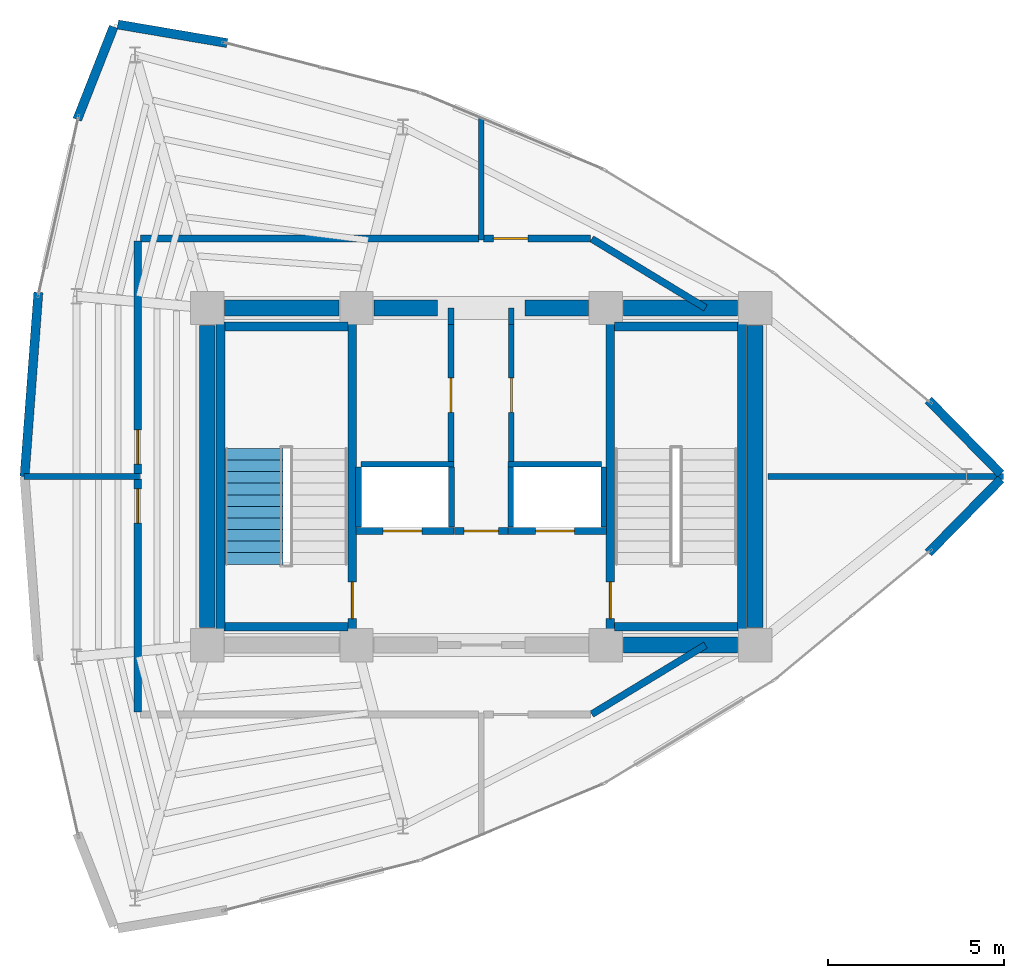
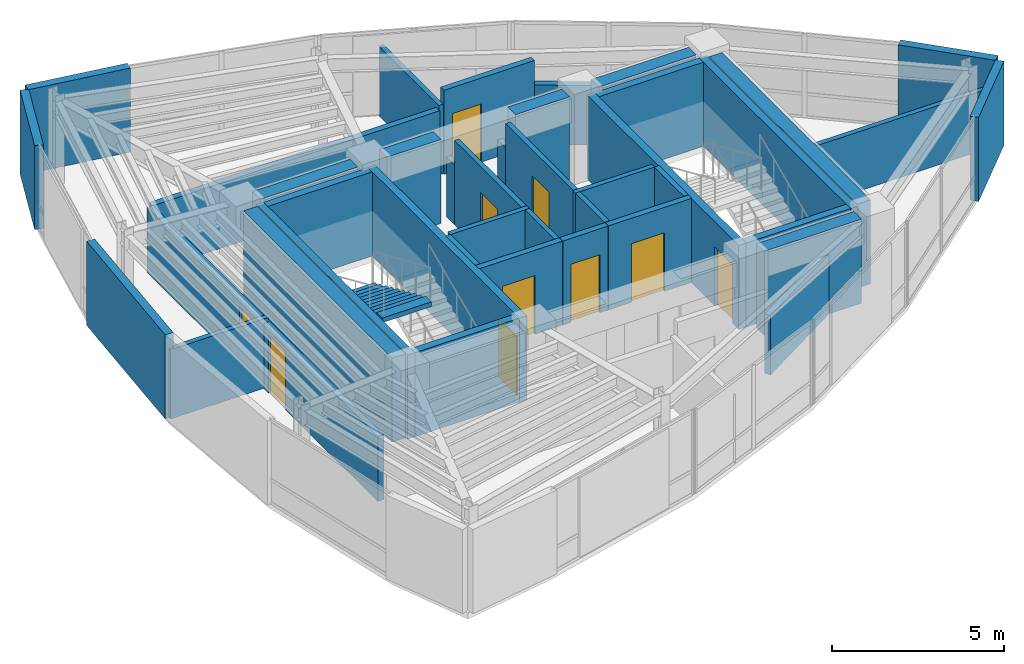
# One storey, part 12 of 14: 42 walls, 10 doors, 1 stair flight, 10 openings, 1 element without a shape of its own.
"""IFC4 building model written with IfcOpenShell, lengths in metres."""

from ifc_helpers import new_model, si_unit, direction, frame, frame_2d, origin, place, context, subcontext, project, spatial, polyline, rectangle, outline, extrude, material, layer, layer_set, type_object, element, fill, aggregate, save


model = new_model("IFC4")

# Units and contexts
model_context = context("Model", 3, precision=1e-05, world=origin(), true_north=direction((0.0, 1.0)))
body_context = subcontext(model_context, "Body", "Model", "MODEL_VIEW")
ifc_project = project(units=[si_unit("LENGTHUNIT", "METRE"), si_unit("AREAUNIT", "SQUARE_METRE"), si_unit("VOLUMEUNIT", "CUBIC_METRE"), si_unit("PLANEANGLEUNIT", "RADIAN"), si_unit("MASSUNIT", "GRAM", prefix="KILO")], contexts=[model_context])

# Site, building, storey
site_placement = place(None, origin())
site = spatial("IfcSite", under=ifc_project, at=site_placement, CompositionType="ELEMENT")
building_placement = place(site_placement, origin())
building = spatial("IfcBuilding", under=site, at=building_placement, Name="Menara Vayukalpa", CompositionType="ELEMENT")
storey_placement = place(building_placement, frame((0.0, 0.0, 305.6201171875)))
storey = spatial("IfcBuildingStorey", under=building, at=storey_placement, Name="L78", CompositionType="ELEMENT", Elevation=305.6201171875)

# Walls
ifc_material_1 = material(Name="Concrete C50/60", Category="concrete")
ifc_layer_1 = layer(ifc_material_1, 0.449951171875)
ifc_layer_set_1 = layer_set([ifc_layer_1], Name="Concrete C50/60")
wall_type_1 = type_object("IfcWallType", Name="WAL-CW450", PredefinedType="SHEAR", material=ifc_layer_set_1)
for number, where, z_axis, x_axis, name in (
    (1, (29.64501953125, 17.199951171875, 0.0), (0.0, 0.0, 1.0), (1.0, 0.0, 0.0), "L78 Buttressed Core Shear Wall CWS4"),
    (2, (18.294921875, 26.800048828125, 0.0), (0.0, 0.0, 1.0), (1.0, 0.0, 0.0), "L78 Buttressed Core Shear Wall CWN1"),
):
    element("IfcWall", number, at=place(storey_placement, frame(where, z_axis=z_axis, x_axis=x_axis)), inside=storey, type_object=wall_type_1, Name=name, PredefinedType="SHEAR", context=body_context, shape_type="SweptSolid", body=[
        extrude(rectangle(XDim=3.260009765625, YDim=0.449951171875, at=frame_2d((1.6298828125, 0.0))), origin(), (0.0, 0.0, 1.0), 2.97998046875),
    ])
wall_1_placement = place(storey_placement, frame((22.544921875, 26.800048828125, 0.0), z_axis=(0.0, 0.0, 1.0), x_axis=(1.0, 0.0, 0.0)))
element("IfcWall", 3, at=wall_1_placement, inside=storey, type_object=wall_type_1, Name="L78 Buttressed Core Shear Wall CWN2", PredefinedType="SHEAR", context=body_context, shape_type="SweptSolid", body=[
    extrude(rectangle(XDim=1.80517578125, YDim=0.449951171875, at=frame_2d((0.902587890625, 0.0))), origin(), (0.0, 0.0, 1.0), 2.97998046875),
])
wall_2_placement = place(storey_placement, frame((26.85009765625, 26.800048828125, 0.0), z_axis=(0.0, 0.0, 1.0), x_axis=(1.0, 0.0, 0.0)))
element("IfcWall", 4, at=wall_2_placement, inside=storey, type_object=wall_type_1, Name="L78 Buttressed Core Shear Wall CWN3", PredefinedType="SHEAR", context=body_context, shape_type="SweptSolid", body=[
    extrude(rectangle(XDim=1.804931640625, YDim=0.449951171875, at=frame_2d((0.90234375, 0.0))), origin(), (0.0, 0.0, 1.0), 2.97998046875),
])
wall_3_placement = place(storey_placement, frame((29.64501953125, 26.800048828125, 0.0), z_axis=(0.0, 0.0, 1.0), x_axis=(1.0, 0.0, 0.0)))
element("IfcWall", 5, at=wall_3_placement, inside=storey, type_object=wall_type_1, Name="L78 Buttressed Core Shear Wall CWN4", PredefinedType="SHEAR", context=body_context, shape_type="SweptSolid", body=[
    extrude(rectangle(XDim=3.260009765625, YDim=0.449951171875, at=frame_2d((1.6298828125, 0.0))), origin(), (0.0, 0.0, 1.0), 2.97998046875),
])
for number, where, z_axis, x_axis, name in (
    (6, (17.800048828125, 17.695068359375, 0.0), (0.0, 0.0, 1.0), (0.0, 1.0, 0.0), "L78 Buttressed Core Shear Wall CWW1"),
    (7, (33.39990234375, 17.695068359375, 0.0), (0.0, 0.0, 1.0), (0.0, 1.0, 0.0), "L78 Buttressed Core Shear Wall CWE1"),
):
    element("IfcWall", number, at=place(storey_placement, frame(where, z_axis=z_axis, x_axis=x_axis)), inside=storey, type_object=wall_type_1, Name=name, PredefinedType="SHEAR", context=body_context, shape_type="SweptSolid", body=[
        extrude(rectangle(XDim=8.60986328125, YDim=0.449951171875, at=frame_2d((4.304931640625, 0.0))), origin(), (0.0, 0.0, 1.0), 2.97998046875),
    ])
ifc_material_2 = material(Name="Insulated Precast Concrete C40/50", Category="concrete")
ifc_layer_2 = layer(ifc_material_2, 0.260009765625)
ifc_layer_set_2 = layer_set([ifc_layer_2], Name="Insulated Precast Concrete C40/50")
wall_type_2 = type_object("IfcWallType", Name="WAL-EXT260", PredefinedType="PARTITIONING", material=ifc_layer_set_2)
for number, where, z_axis, x_axis, name in (
    (8, (40.394287109375, 21.923828125, 0.0), (0.0, 0.0, 1.0), (-0.700603142499, -0.713551145133, 0.0), "L78 Perimeter Terracotta Pier Wall 01"),
    (9, (38.33349609375, 24.175048828125, 0.0), (0.0, 0.0, 1.0), (0.700603142499, -0.713551145133, 0.0), "L78 Perimeter Terracotta Pier Wall 02"),
):
    element("IfcWall", number, at=place(storey_placement, frame(where, z_axis=z_axis, x_axis=x_axis)), inside=storey, type_object=wall_type_2, Name=name, PredefinedType="PARTITIONING", context=body_context, shape_type="SweptSolid", body=[
        extrude(rectangle(XDim=2.94140625, YDim=0.260009765625, at=frame_2d((1.470703125, 0.0))), origin(), (0.0, 0.0, 1.0), 2.97998046875),
    ])
wall_4_placement = place(storey_placement, frame((15.251708984375, 34.87158203125, 0.0), z_axis=(0.0, 0.0, 1.0), x_axis=(0.985905089134, -0.167305574383, 0.0)))
element("IfcWall", 10, at=wall_4_placement, inside=storey, type_object=wall_type_2, Name="L78 Perimeter Terracotta Pier Wall 07", PredefinedType="PARTITIONING", context=body_context, shape_type="SweptSolid", body=[
    extrude(rectangle(XDim=3.1591796875, YDim=0.260009765625, at=frame_2d((1.57958984375, 0.0))), origin(), (0.0, 0.0, 1.0), 2.97998046875),
])
wall_5_placement = place(storey_placement, frame((14.09619140625, 32.1630859375, 0.0), z_axis=(0.0, 0.0, 1.0), x_axis=(0.365495346637, 0.930813166853, 0.0)))
element("IfcWall", 11, at=wall_5_placement, inside=storey, type_object=wall_type_2, Name="L78 Perimeter Terracotta Pier Wall 08", PredefinedType="PARTITIONING", context=body_context, shape_type="SweptSolid", body=[
    extrude(rectangle(XDim=2.838134765625, YDim=0.260009765625, at=frame_2d((1.4189453125, 0.0))), origin(), (0.0, 0.0, 1.0), 2.97998046875),
])
wall_6_placement = place(storey_placement, frame((12.596435546875, 22.0, 0.0), z_axis=(0.0, 0.0, 1.0), x_axis=(0.074768012725, 0.99720095481, 0.0)))
element("IfcWall", 12, at=wall_6_placement, inside=storey, type_object=wall_type_2, Name="L78 Perimeter Terracotta Pier Wall 10", PredefinedType="PARTITIONING", context=body_context, shape_type="SweptSolid", body=[
    extrude(rectangle(XDim=5.257080078125, YDim=0.260009765625, at=frame_2d((2.62841796875, 0.0))), origin(), (0.0, 0.0, 1.0), 2.97998046875),
])
ifc_material_3 = material(Name="Lightweight Concrete Blockwork C16/20", Category="masonry")
ifc_layer_3 = layer(ifc_material_3, 0.159912109375)
ifc_layer_set_3 = layer_set([ifc_layer_3], Name="Lightweight Concrete Blockwork C16/20")
wall_type_3 = type_object("IfcWallType", Name="WAL-FR150", PredefinedType="PARTITIONING", material=ifc_layer_set_3)
for number, where, z_axis, x_axis, name in (
    (13, (22.10498046875, 20.56005859375, 0.0), (0.0, 0.0, 1.0), (0.0, 1.0, 0.0), "L78 Interior Partition IW-L78-SHW-WW"),
    (14, (24.7548828125, 20.56005859375, 0.0), (0.0, 0.0, 1.0), (0.0, 1.0, 0.0), "L78 Interior Partition IW-L78-SHW-W1E"),
):
    element("IfcWall", number, at=place(storey_placement, frame(where, z_axis=z_axis, x_axis=x_axis)), inside=storey, type_object=wall_type_3, Name=name, PredefinedType="PARTITIONING", context=body_context, shape_type="SweptSolid", body=[
        extrude(rectangle(XDim=1.7099609375, YDim=0.159912109375, at=frame_2d((0.85498046875, 0.0))), origin(), (0.0, 0.0, 1.0), 2.97998046875),
    ])
wall_7_placement = place(storey_placement, frame((22.179931640625, 22.344970703125, 0.0), z_axis=(0.0, 0.0, 1.0), x_axis=(1.0, 0.0, 0.0)))
element("IfcWall", 15, at=wall_7_placement, inside=storey, type_object=wall_type_3, Name="L78 Interior Partition IW-L78-SHM-W12", PredefinedType="PARTITIONING", context=body_context, shape_type="SweptSolid", body=[
    extrude(rectangle(XDim=2.650146484375, YDim=0.159912109375, at=frame_2d((1.3251953125, 0.0))), origin(), (0.0, 0.0, 1.0), 2.97998046875),
])
for number, where, z_axis, x_axis, name in (
    (16, (29.094970703125, 20.56005859375, 0.0), (0.0, 0.0, 1.0), (0.0, 1.0, 0.0), "L78 Interior Partition IW-L78-SHW-EE"),
    (17, (26.445068359375, 20.56005859375, 0.0), (0.0, 0.0, 1.0), (0.0, 1.0, 0.0), "L78 Interior Partition IW-L78-SHW-E1W"),
):
    element("IfcWall", number, at=place(storey_placement, frame(where, z_axis=z_axis, x_axis=x_axis)), inside=storey, type_object=wall_type_3, Name=name, PredefinedType="PARTITIONING", context=body_context, shape_type="SweptSolid", body=[
        extrude(rectangle(XDim=1.7099609375, YDim=0.159912109375, at=frame_2d((0.85498046875, 0.0))), origin(), (0.0, 0.0, 1.0), 2.97998046875),
    ])
wall_8_placement = place(storey_placement, frame((26.3701171875, 22.344970703125, 0.0), z_axis=(0.0, 0.0, 1.0), x_axis=(1.0, 0.0, 0.0)))
element("IfcWall", 18, at=wall_8_placement, inside=storey, type_object=wall_type_3, Name="L78 Interior Partition IW-L78-SHM-E13", PredefinedType="PARTITIONING", context=body_context, shape_type="SweptSolid", body=[
    extrude(rectangle(XDim=2.64990234375, YDim=0.159912109375, at=frame_2d((1.324951171875, 0.0))), origin(), (0.0, 0.0, 1.0), 2.97998046875),
])
wall_9_placement = place(storey_placement, frame((24.739990234375, 26.3349609375, 0.0), z_axis=(0.0, 0.0, 1.0), x_axis=(0.0, 1.0, 0.0)))
element("IfcWall", 19, at=wall_9_placement, inside=storey, type_object=wall_type_3, Name="L78 Interior Partition IW-L78-CPL1 Beam Collar 1", PredefinedType="PARTITIONING", context=body_context, shape_type="SweptSolid", body=[
    extrude(rectangle(XDim=0.465087890625, YDim=0.159912109375, at=frame_2d((0.232421875, 0.0))), origin(), (0.0, 0.0, 1.0), 2.10986328125),
])

# Wall, opening, door
wall_10_placement = place(storey_placement, frame((24.739990234375, 22.429931640625, 0.0), z_axis=(0.0, 0.0, 1.0), x_axis=(0.0, 1.0, 0.0)))
wall_10 = element("IfcWall", 20, at=wall_10_placement, inside=storey, type_object=wall_type_3, Name="L78 Interior Partition IW-L78-CPL1", PredefinedType="PARTITIONING", context=body_context, shape_type="SweptSolid", body=[
    extrude(rectangle(XDim=3.905029296875, YDim=0.159912109375, at=frame_2d((1.95263671875, 0.0))), origin(), (0.0, 0.0, 1.0), 2.97998046875),
])
opening_1_placement = place(wall_10_placement, frame((1.39990234375, 0.0, 0.0)))
opening_1 = element("IfcOpeningElement", 21, at=opening_1_placement, cuts=wall_10, Name="Opening ID3", PredefinedType="OPENING", context=body_context, shape_type="SweptSolid", body=[
    extrude(rectangle(XDim=0.97998046875, YDim=2.06005859375, at=frame_2d((0.489990234375, 1.030029296875))), frame((0.0, 0.08984375, 0.0), z_axis=(0.0, -1.0, 0.0), x_axis=(1.0, 0.0, 0.0)), (0.0, 0.0, 1.0), 0.179931640625),
])
ifc_material_4 = material(Name="Fire-Rated Powder-Coated Steel Door", Category="steel")
door_type_1 = type_object("IfcDoorType", Name="DR-FD60", OperationType="NOTDEFINED", PredefinedType="DOOR", material=ifc_material_4)
door_1_placement = place(opening_1_placement, origin())
door_1 = element("IfcDoor", 22, at=door_1_placement, inside=storey, type_object=door_type_1, Name="L78 Interior Door DR-L78-CPL1", OperationType="SINGLE_SWING_LEFT", OverallHeight=2.06005859375, OverallWidth=0.97998046875, PredefinedType="DOOR", context=body_context, shape_type="SweptSolid", body=[
    extrude(rectangle(XDim=0.97998046875, YDim=2.06005859375, at=frame_2d((0.489990234375, 1.030029296875))), frame((0.0, 0.02490234375, 0.0), z_axis=(0.0, -1.0, 0.0), x_axis=(1.0, 0.0, 0.0)), (0.0, 0.0, 1.0), 0.050048828125),
])
fill(opening_1, door_1)

# Wall
wall_11_placement = place(storey_placement, frame((26.4599609375, 26.3349609375, 0.0), z_axis=(0.0, 0.0, 1.0), x_axis=(0.0, 1.0, 0.0)))
element("IfcWall", 23, at=wall_11_placement, inside=storey, type_object=wall_type_3, Name="L78 Interior Partition IW-L78-CPL2 Beam Collar 1", PredefinedType="PARTITIONING", context=body_context, shape_type="SweptSolid", body=[
    extrude(rectangle(XDim=0.465087890625, YDim=0.159912109375, at=frame_2d((0.232421875, 0.0))), origin(), (0.0, 0.0, 1.0), 2.10986328125),
])

# Wall, opening, door
wall_12_placement = place(storey_placement, frame((26.4599609375, 22.429931640625, 0.0), z_axis=(0.0, 0.0, 1.0), x_axis=(0.0, 1.0, 0.0)))
wall_12 = element("IfcWall", 24, at=wall_12_placement, inside=storey, type_object=wall_type_3, Name="L78 Interior Partition IW-L78-CPL2", PredefinedType="PARTITIONING", context=body_context, shape_type="SweptSolid", body=[
    extrude(rectangle(XDim=3.905029296875, YDim=0.159912109375, at=frame_2d((1.95263671875, 0.0))), origin(), (0.0, 0.0, 1.0), 2.97998046875),
])
opening_2_placement = place(wall_12_placement, frame((1.39990234375, 0.0, 0.0)))
opening_2 = element("IfcOpeningElement", 25, at=opening_2_placement, cuts=wall_12, Name="Opening ID3", PredefinedType="OPENING", context=body_context, shape_type="SweptSolid", body=[
    extrude(rectangle(XDim=0.97998046875, YDim=2.06005859375, at=frame_2d((0.489990234375, 1.030029296875))), frame((0.0, 0.08984375, 0.0), z_axis=(0.0, -1.0, 0.0), x_axis=(1.0, 0.0, 0.0)), (0.0, 0.0, 1.0), 0.179931640625),
])
door_2_placement = place(opening_2_placement, origin())
door_2 = element("IfcDoor", 26, at=door_2_placement, inside=storey, type_object=door_type_1, Name="L78 Interior Door DR-L78-CPL2", OperationType="SINGLE_SWING_RIGHT", OverallHeight=2.06005859375, OverallWidth=0.97998046875, PredefinedType="DOOR", context=body_context, shape_type="SweptSolid", body=[
    extrude(rectangle(XDim=0.97998046875, YDim=2.06005859375, at=frame_2d((0.489990234375, 1.030029296875))), frame((0.0, 0.02490234375, 0.0), z_axis=(0.0, -1.0, 0.0), x_axis=(1.0, 0.0, 0.0)), (0.0, 0.0, 1.0), 0.050048828125),
])
fill(opening_2, door_2)

# Walls
wall_13_placement = place(storey_placement, frame((25.60009765625, 28.72998046875, 0.0), z_axis=(0.0, 0.0, 1.0), x_axis=(0.0, 1.0, 0.0)))
element("IfcWall", 27, at=wall_13_placement, inside=storey, type_object=wall_type_3, Name="L78 Interior Partition IW-L78-RDIV02", PredefinedType="PARTITIONING", context=body_context, shape_type="SweptSolid", body=[
    extrude(rectangle(XDim=3.48681640625, YDim=0.159912109375, at=frame_2d((1.743408203125, 0.0))), origin(), (0.0, 0.0, 1.0), 2.4599609375),
])
wall_14_placement = place(storey_placement, frame((12.58642578125, 22.0, 0.0), z_axis=(0.0, 0.0, 1.0), x_axis=(1.0, 0.0, 0.0)))
element("IfcWall", 28, at=wall_14_placement, inside=storey, type_object=wall_type_3, Name="L78 Interior Partition IW-L78-RDIV03", PredefinedType="PARTITIONING", context=body_context, shape_type="SweptSolid", body=[
    extrude(rectangle(XDim=3.28369140625, YDim=0.159912109375, at=frame_2d((1.641845703125, 0.0))), origin(), (0.0, 0.0, 1.0), 2.4599609375),
])
wall_15_placement = place(storey_placement, frame((33.77001953125, 22.0, 0.0), z_axis=(0.0, 0.0, 1.0), x_axis=(1.0, 0.0, 0.0)))
element("IfcWall", 29, at=wall_15_placement, inside=storey, type_object=wall_type_3, Name="L78 Interior Partition IW-L78-RDIV04", PredefinedType="PARTITIONING", context=body_context, shape_type="SweptSolid", body=[
    extrude(rectangle(XDim=6.708984375, YDim=0.159912109375, at=frame_2d((3.3544921875, 0.0))), origin(), (0.0, 0.0, 1.0), 2.10986328125),
])

# Wall, opening, door
ifc_material_5 = material(Name="Lightweight Concrete Blockwork C16/20", Category="masonry")
ifc_layer_4 = layer(ifc_material_5, 0.199951171875)
ifc_layer_set_4 = layer_set([ifc_layer_4], Name="Lightweight Concrete Blockwork C16/20")
wall_type_4 = type_object("IfcWallType", Name="WAL-FR200", PredefinedType="PARTITIONING", material=ifc_layer_set_4)
wall_16_placement = place(storey_placement, frame((24.840087890625, 20.449951171875, 0.0), z_axis=(0.0, 0.0, 1.0), x_axis=(1.0, 0.0, 0.0)))
wall_16 = element("IfcWall", 30, at=wall_16_placement, inside=storey, type_object=wall_type_4, Name="L78 Interior Partition IW-L78-FFLN", PredefinedType="PARTITIONING", context=body_context, shape_type="SweptSolid", body=[
    extrude(rectangle(XDim=1.52001953125, YDim=0.199951171875, at=frame_2d((0.760009765625, 0.0))), origin(), (0.0, 0.0, 1.0), 2.97998046875),
])
opening_3_placement = place(wall_16_placement, frame((0.27001953125, 0.0, 0.0)))
opening_3 = element("IfcOpeningElement", 31, at=opening_3_placement, cuts=wall_16, Name="Opening ID3", PredefinedType="OPENING", context=body_context, shape_type="SweptSolid", body=[
    extrude(rectangle(XDim=0.97998046875, YDim=2.06005859375, at=frame_2d((0.489990234375, 1.030029296875))), frame((0.0, 0.10986328125, 0.0), z_axis=(0.0, -1.0, 0.0), x_axis=(1.0, 0.0, 0.0)), (0.0, 0.0, 1.0), 0.219970703125),
])
door_3_placement = place(opening_3_placement, origin())
door_3 = element("IfcDoor", 32, at=door_3_placement, inside=storey, type_object=door_type_1, Name="L78 Interior Door DR-L78-FFLN", OperationType="SINGLE_SWING_RIGHT", OverallHeight=2.06005859375, OverallWidth=0.97998046875, PredefinedType="DOOR", context=body_context, shape_type="SweptSolid", body=[
    extrude(rectangle(XDim=0.97998046875, YDim=2.06005859375, at=frame_2d((0.489990234375, 1.030029296875))), frame((0.0, 0.02490234375, 0.0), z_axis=(0.0, -1.0, 0.0), x_axis=(1.0, 0.0, 0.0)), (0.0, 0.0, 1.0), 0.050048828125),
])
fill(opening_3, door_3)

wall_17_placement = place(storey_placement, frame((22.030029296875, 20.449951171875, 0.0), z_axis=(0.0, 0.0, 1.0), x_axis=(1.0, 0.0, 0.0)))
wall_17 = element("IfcWall", 33, at=wall_17_placement, inside=storey, type_object=wall_type_4, Name="L78 Interior Partition IW-L78-SH-W1", PredefinedType="PARTITIONING", context=body_context, shape_type="SweptSolid", body=[
    extrude(rectangle(XDim=2.800048828125, YDim=0.199951171875, at=frame_2d((1.39990234375, 0.0))), origin(), (0.0, 0.0, 1.0), 2.97998046875),
])
opening_4_placement = place(wall_17_placement, frame((0.780029296875, 0.0, 0.0)))
opening_4 = element("IfcOpeningElement", 34, at=opening_4_placement, cuts=wall_17, Name="Opening LD1", PredefinedType="OPENING", context=body_context, shape_type="SweptSolid", body=[
    extrude(rectangle(XDim=1.10009765625, YDim=2.080078125, at=frame_2d((0.550048828125, 1.0400390625))), frame((0.0, 0.10986328125, 0.0), z_axis=(0.0, -1.0, 0.0), x_axis=(1.0, 0.0, 0.0)), (0.0, 0.0, 1.0), 0.219970703125),
])
ifc_material_6 = material(Name="Brushed Stainless Steel 316 Lift Door", Category="steel")
door_type_2 = type_object("IfcDoorType", Name="DR-LD110", OperationType="NOTDEFINED", PredefinedType="DOOR", material=ifc_material_6)
door_4_placement = place(opening_4_placement, origin())
door_4 = element("IfcDoor", 35, at=door_4_placement, inside=storey, type_object=door_type_2, Name="L78 Interior Door DR-L78-LD-W1", OperationType="DOUBLE_DOOR_SLIDING", OverallHeight=2.080078125, OverallWidth=1.10009765625, PredefinedType="DOOR", context=body_context, shape_type="SweptSolid", body=[
    extrude(rectangle(XDim=1.10009765625, YDim=2.080078125, at=frame_2d((0.550048828125, 1.0400390625))), frame((0.0, 0.02490234375, 0.0), z_axis=(0.0, -1.0, 0.0), x_axis=(1.0, 0.0, 0.0)), (0.0, 0.0, 1.0), 0.050048828125),
])
fill(opening_4, door_4)

wall_18_placement = place(storey_placement, frame((26.3701171875, 20.449951171875, 0.0), z_axis=(0.0, 0.0, 1.0), x_axis=(1.0, 0.0, 0.0)))
wall_18 = element("IfcWall", 36, at=wall_18_placement, inside=storey, type_object=wall_type_4, Name="L78 Interior Partition IW-L78-SH-E1", PredefinedType="PARTITIONING", context=body_context, shape_type="SweptSolid", body=[
    extrude(rectangle(XDim=2.7998046875, YDim=0.199951171875, at=frame_2d((1.39990234375, 0.0))), origin(), (0.0, 0.0, 1.0), 2.97998046875),
])
opening_5_placement = place(wall_18_placement, frame((0.780029296875, 0.0, 0.0)))
opening_5 = element("IfcOpeningElement", 37, at=opening_5_placement, cuts=wall_18, Name="Opening LD1", PredefinedType="OPENING", context=body_context, shape_type="SweptSolid", body=[
    extrude(rectangle(XDim=1.10009765625, YDim=2.080078125, at=frame_2d((0.550048828125, 1.0400390625))), frame((0.0, 0.10986328125, 0.0), z_axis=(0.0, -1.0, 0.0), x_axis=(1.0, 0.0, 0.0)), (0.0, 0.0, 1.0), 0.219970703125),
])
door_5_placement = place(opening_5_placement, origin())
door_5 = element("IfcDoor", 38, at=door_5_placement, inside=storey, type_object=door_type_2, Name="L78 Interior Door DR-L78-LD-E1", OperationType="DOUBLE_DOOR_SLIDING", OverallHeight=2.080078125, OverallWidth=1.10009765625, PredefinedType="DOOR", context=body_context, shape_type="SweptSolid", body=[
    extrude(rectangle(XDim=1.10009765625, YDim=2.080078125, at=frame_2d((0.550048828125, 1.0400390625))), frame((0.0, 0.02490234375, 0.0), z_axis=(0.0, -1.0, 0.0), x_axis=(1.0, 0.0, 0.0)), (0.0, 0.0, 1.0), 0.050048828125),
])
fill(opening_5, door_5)

wall_19_placement = place(storey_placement, frame((15.820068359375, 21.929931640625, 0.0), z_axis=(0.0, 0.0, 1.0), x_axis=(0.0, -1.0, 0.0)))
wall_19 = element("IfcWall", 39, at=wall_19_placement, inside=storey, type_object=wall_type_4, Name="L78 Interior Partition IW-L78-CRM01-1", PredefinedType="PARTITIONING", context=body_context, shape_type="SweptSolid", body=[
    extrude(rectangle(XDim=6.6298828125, YDim=0.199951171875, at=frame_2d((3.31494140625, 0.0))), origin(), (0.0, 0.0, 1.0), 2.309814453125),
])
opening_6_placement = place(wall_19_placement, frame((0.280029296875, 0.0, 0.0)))
opening_6 = element("IfcOpeningElement", 40, at=opening_6_placement, cuts=wall_19, Name="Opening ID3", PredefinedType="OPENING", context=body_context, shape_type="SweptSolid", body=[
    extrude(rectangle(XDim=0.97998046875, YDim=2.06005859375, at=frame_2d((0.489990234375, 1.030029296875))), frame((0.0, 0.10986328125, 0.0), z_axis=(0.0, -1.0, 0.0), x_axis=(1.0, 0.0, 0.0)), (0.0, 0.0, 1.0), 0.219970703125),
])
door_6_placement = place(opening_6_placement, origin())
door_6 = element("IfcDoor", 41, at=door_6_placement, inside=storey, type_object=door_type_1, Name="L78 Interior Door DR-L78-RM01", OperationType="SINGLE_SWING_LEFT", OverallHeight=2.06005859375, OverallWidth=0.97998046875, PredefinedType="DOOR", context=body_context, shape_type="SweptSolid", body=[
    extrude(rectangle(XDim=0.97998046875, YDim=2.06005859375, at=frame_2d((0.489990234375, 1.030029296875))), frame((0.0, 0.02490234375, 0.0), z_axis=(0.0, -1.0, 0.0), x_axis=(1.0, 0.0, 0.0)), (0.0, 0.0, 1.0), 0.050048828125),
])
fill(opening_6, door_6)

# Walls
for number, where, z_axis, x_axis, name in (
    (42, (28.747314453125, 15.231689453125, 0.0), (0.0, 0.0, 1.0), (0.854690580489, 0.519137757847, 0.0), "L78 Interior Partition IW-L78-CRM02-2"),
    (43, (31.98779296875, 26.800048828125, 0.0), (0.0, 0.0, 1.0), (-0.854690580489, 0.519137757847, 0.0), "L78 Interior Partition IW-L78-CRM03-1"),
):
    element("IfcWall", number, at=place(storey_placement, frame(where, z_axis=z_axis, x_axis=x_axis)), inside=storey, type_object=wall_type_4, Name=name, PredefinedType="PARTITIONING", context=body_context, shape_type="SweptSolid", body=[
        extrude(rectangle(XDim=3.79150390625, YDim=0.199951171875, at=frame_2d((1.895751953125, 0.0))), origin(), (0.0, 0.0, 1.0), 2.10986328125),
    ])

# Wall, opening, door
wall_20_placement = place(storey_placement, frame((28.705810546875, 28.780029296875, 0.0), z_axis=(0.0, 0.0, 1.0), x_axis=(-1.0, 0.0, 0.0)))
wall_20 = element("IfcWall", 44, at=wall_20_placement, inside=storey, type_object=wall_type_4, Name="L78 Interior Partition IW-L78-CRM03-2", PredefinedType="PARTITIONING", context=body_context, shape_type="SweptSolid", body=[
    extrude(rectangle(XDim=3.035888671875, YDim=0.199951171875, at=frame_2d((1.51806640625, 0.0))), origin(), (0.0, 0.0, 1.0), 2.97998046875),
])
opening_7_placement = place(wall_20_placement, frame((1.77587890625, 0.0, 0.0)))
opening_7 = element("IfcOpeningElement", 45, at=opening_7_placement, cuts=wall_20, Name="Opening ID3", PredefinedType="OPENING", context=body_context, shape_type="SweptSolid", body=[
    extrude(rectangle(XDim=0.97998046875, YDim=2.06005859375, at=frame_2d((0.489990234375, 1.030029296875))), frame((0.0, 0.10986328125, 0.0), z_axis=(0.0, -1.0, 0.0), x_axis=(1.0, 0.0, 0.0)), (0.0, 0.0, 1.0), 0.219970703125),
])
door_7_placement = place(opening_7_placement, origin())
door_7 = element("IfcDoor", 46, at=door_7_placement, inside=storey, type_object=door_type_1, Name="L78 Interior Door DR-L78-RM03", OperationType="SINGLE_SWING_LEFT", OverallHeight=2.06005859375, OverallWidth=0.97998046875, PredefinedType="DOOR", context=body_context, shape_type="SweptSolid", body=[
    extrude(rectangle(XDim=0.97998046875, YDim=2.06005859375, at=frame_2d((0.489990234375, 1.030029296875))), frame((0.0, 0.02490234375, 0.0), z_axis=(0.0, -1.0, 0.0), x_axis=(1.0, 0.0, 0.0)), (0.0, 0.0, 1.0), 0.050048828125),
])
fill(opening_7, door_7)

# Wall
wall_21_placement = place(storey_placement, frame((25.530029296875, 28.780029296875, 0.0), z_axis=(0.0, 0.0, 1.0), x_axis=(-1.0, 0.0, 0.0)))
element("IfcWall", 47, at=wall_21_placement, inside=storey, type_object=wall_type_4, Name="L78 Interior Partition IW-L78-CRM04-1", PredefinedType="PARTITIONING", context=body_context, shape_type="SweptSolid", body=[
    extrude(rectangle(XDim=9.630126953125, YDim=0.199951171875, at=frame_2d((4.81494140625, 0.0))), origin(), (0.0, 0.0, 1.0), 2.309814453125),
])

# Wall, opening, door
wall_22_placement = place(storey_placement, frame((15.820068359375, 28.699951171875, 0.0), z_axis=(0.0, 0.0, 1.0), x_axis=(0.0, -1.0, 0.0)))
wall_22 = element("IfcWall", 48, at=wall_22_placement, inside=storey, type_object=wall_type_4, Name="L78 Interior Partition IW-L78-CRM04-2", PredefinedType="PARTITIONING", context=body_context, shape_type="SweptSolid", body=[
    extrude(rectangle(XDim=6.6298828125, YDim=0.199951171875, at=frame_2d((3.31494140625, 0.0))), origin(), (0.0, 0.0, 1.0), 2.309814453125),
])
opening_8_placement = place(wall_22_placement, frame((5.3701171875, 0.0, 0.0)))
opening_8 = element("IfcOpeningElement", 49, at=opening_8_placement, cuts=wall_22, Name="Opening ID3", PredefinedType="OPENING", context=body_context, shape_type="SweptSolid", body=[
    extrude(rectangle(XDim=0.97998046875, YDim=2.06005859375, at=frame_2d((0.489990234375, 1.030029296875))), frame((0.0, 0.10986328125, 0.0), z_axis=(0.0, -1.0, 0.0), x_axis=(1.0, 0.0, 0.0)), (0.0, 0.0, 1.0), 0.219970703125),
])
door_8_placement = place(opening_8_placement, origin())
door_8 = element("IfcDoor", 50, at=door_8_placement, inside=storey, type_object=door_type_1, Name="L78 Interior Door DR-L78-RM04", OperationType="SINGLE_SWING_RIGHT", OverallHeight=2.06005859375, OverallWidth=0.97998046875, PredefinedType="DOOR", context=body_context, shape_type="SweptSolid", body=[
    extrude(rectangle(XDim=0.97998046875, YDim=2.06005859375, at=frame_2d((0.489990234375, 1.030029296875))), frame((0.0, 0.02490234375, 0.0), z_axis=(0.0, -1.0, 0.0), x_axis=(1.0, 0.0, 0.0)), (0.0, 0.0, 1.0), 0.050048828125),
])
fill(opening_8, door_8)

# Wall
ifc_material_7 = material(Name="Concrete C50/60", Category="concrete")
ifc_layer_5 = layer(ifc_material_7, 0.25)
ifc_layer_set_5 = layer_set([ifc_layer_5], Name="Concrete C50/60")
wall_type_5 = type_object("IfcWallType", Name="WAL-SW250", PredefinedType="SHEAR", material=ifc_layer_set_5)
wall_23_placement = place(storey_placement, frame((18.175048828125, 17.60009765625, 0.0), z_axis=(0.0, 0.0, 1.0), x_axis=(0.0, 1.0, 0.0)))
element("IfcWall", 51, at=wall_23_placement, inside=storey, type_object=wall_type_5, Name="L78 ST1 Structural Stair Shaft Wall W", PredefinedType="SHEAR", context=body_context, shape_type="SweptSolid", body=[
    extrude(rectangle(XDim=8.7998046875, YDim=0.25, at=frame_2d((4.39990234375, 0.0))), origin(), (0.0, 0.0, 1.0), 2.97998046875),
])

# Wall, opening, door
wall_24_placement = place(storey_placement, frame((21.925048828125, 17.60009765625, 0.0), z_axis=(0.0, 0.0, 1.0), x_axis=(0.0, 1.0, 0.0)))
wall_24 = element("IfcWall", 52, at=wall_24_placement, inside=storey, type_object=wall_type_5, Name="L78 ST1 Structural Stair Shaft Wall E", PredefinedType="SHEAR", context=body_context, shape_type="SweptSolid", body=[
    extrude(rectangle(XDim=8.7998046875, YDim=0.25, at=frame_2d((4.39990234375, 0.0))), origin(), (0.0, 0.0, 1.0), 2.97998046875),
])
opening_9_placement = place(wall_24_placement, frame((0.35009765625, 0.0, 0.0)))
opening_9 = element("IfcOpeningElement", 53, at=opening_9_placement, cuts=wall_24, Name="Opening ID1", PredefinedType="OPENING", context=body_context, shape_type="SweptSolid", body=[
    extrude(rectangle(XDim=1.050048828125, YDim=2.080078125, at=frame_2d((0.52490234375, 1.0400390625))), frame((0.0, 0.135009765625, 0.0), z_axis=(0.0, -1.0, 0.0), x_axis=(1.0, 0.0, 0.0)), (0.0, 0.0, 1.0), 0.27001953125),
])
ifc_material_8 = material(Name="Fire-Rated Powder-Coated Steel Door", Category="steel")
door_type_3 = type_object("IfcDoorType", Name="DR-FD120", OperationType="NOTDEFINED", PredefinedType="DOOR", material=ifc_material_8)
door_9_placement = place(opening_9_placement, origin())
door_9 = element("IfcDoor", 54, at=door_9_placement, inside=storey, type_object=door_type_3, Name="L78 Stair Exit Door DR-L78-ST1", OperationType="SINGLE_SWING_LEFT", OverallHeight=2.080078125, OverallWidth=1.050048828125, PredefinedType="DOOR", context=body_context, shape_type="SweptSolid", body=[
    extrude(rectangle(XDim=1.050048828125, YDim=2.080078125, at=frame_2d((0.52490234375, 1.0400390625))), frame((0.0, 0.02490234375, 0.0), z_axis=(0.0, -1.0, 0.0), x_axis=(1.0, 0.0, 0.0)), (0.0, 0.0, 1.0), 0.050048828125),
])
fill(opening_9, door_9)

# Walls
for number, where, z_axis, x_axis, name in (
    (55, (18.300048828125, 17.72509765625, 0.0), (0.0, 0.0, 1.0), (1.0, 0.0, 0.0), "L78 ST1 Structural Stair Shaft Wall S"),
    (56, (18.300048828125, 26.27490234375, 0.0), (0.0, 0.0, 1.0), (1.0, 0.0, 0.0), "L78 ST1 Structural Stair Shaft Wall N"),
):
    element("IfcWall", number, at=place(storey_placement, frame(where, z_axis=z_axis, x_axis=x_axis)), inside=storey, type_object=wall_type_5, Name=name, PredefinedType="SHEAR", context=body_context, shape_type="SweptSolid", body=[
        extrude(rectangle(XDim=3.5, YDim=0.25, at=frame_2d((1.75, 0.0))), origin(), (0.0, 0.0, 1.0), 2.97998046875),
    ])

# Wall, opening, door
wall_25_placement = place(storey_placement, frame((29.27490234375, 17.60009765625, 0.0), z_axis=(0.0, 0.0, 1.0), x_axis=(0.0, 1.0, 0.0)))
wall_25 = element("IfcWall", 57, at=wall_25_placement, inside=storey, type_object=wall_type_5, Name="L78 ST2 Structural Stair Shaft Wall W", PredefinedType="SHEAR", context=body_context, shape_type="SweptSolid", body=[
    extrude(rectangle(XDim=8.7998046875, YDim=0.25, at=frame_2d((4.39990234375, 0.0))), origin(), (0.0, 0.0, 1.0), 2.97998046875),
])
opening_10_placement = place(wall_25_placement, frame((0.35009765625, 0.0, 0.0)))
opening_10 = element("IfcOpeningElement", 58, at=opening_10_placement, cuts=wall_25, Name="Opening ID1", PredefinedType="OPENING", context=body_context, shape_type="SweptSolid", body=[
    extrude(rectangle(XDim=1.050048828125, YDim=2.080078125, at=frame_2d((0.52490234375, 1.0400390625))), frame((0.0, 0.135009765625, 0.0), z_axis=(0.0, -1.0, 0.0), x_axis=(1.0, 0.0, 0.0)), (0.0, 0.0, 1.0), 0.27001953125),
])
door_10_placement = place(opening_10_placement, origin())
door_10 = element("IfcDoor", 59, at=door_10_placement, inside=storey, type_object=door_type_3, Name="L78 Stair Exit Door DR-L78-ST2", OperationType="SINGLE_SWING_RIGHT", OverallHeight=2.080078125, OverallWidth=1.050048828125, PredefinedType="DOOR", context=body_context, shape_type="SweptSolid", body=[
    extrude(rectangle(XDim=1.050048828125, YDim=2.080078125, at=frame_2d((0.52490234375, 1.0400390625))), frame((0.0, 0.02490234375, 0.0), z_axis=(0.0, -1.0, 0.0), x_axis=(1.0, 0.0, 0.0)), (0.0, 0.0, 1.0), 0.050048828125),
])
fill(opening_10, door_10)

# Walls
wall_26_placement = place(storey_placement, frame((33.02490234375, 17.60009765625, 0.0), z_axis=(0.0, 0.0, 1.0), x_axis=(0.0, 1.0, 0.0)))
element("IfcWall", 60, at=wall_26_placement, inside=storey, type_object=wall_type_5, Name="L78 ST2 Structural Stair Shaft Wall E", PredefinedType="SHEAR", context=body_context, shape_type="SweptSolid", body=[
    extrude(rectangle(XDim=8.7998046875, YDim=0.25, at=frame_2d((4.39990234375, 0.0))), origin(), (0.0, 0.0, 1.0), 2.97998046875),
])
for number, where, z_axis, x_axis, name in (
    (61, (29.39990234375, 17.72509765625, 0.0), (0.0, 0.0, 1.0), (1.0, 0.0, 0.0), "L78 ST2 Structural Stair Shaft Wall S"),
    (62, (29.39990234375, 26.27490234375, 0.0), (0.0, 0.0, 1.0), (1.0, 0.0, 0.0), "L78 ST2 Structural Stair Shaft Wall N"),
):
    element("IfcWall", number, at=place(storey_placement, frame(where, z_axis=z_axis, x_axis=x_axis)), inside=storey, type_object=wall_type_5, Name=name, PredefinedType="SHEAR", context=body_context, shape_type="SweptSolid", body=[
        extrude(rectangle(XDim=3.5, YDim=0.25, at=frame_2d((1.75, 0.0))), origin(), (0.0, 0.0, 1.0), 2.97998046875),
    ])

# Stair, stair flight
ifc_material_9 = material(Name="Precast Concrete C40/50", Category="concrete")
stair_type = type_object("IfcStairType", Name="STR-T07", PredefinedType="DOUBLE_RETURN_STAIR", material=ifc_material_9)
stair_placement = place(storey_placement, origin())
stair = element("IfcStair", 63, at=stair_placement, inside=storey, type_object=stair_type, Name="L78 Core Exit Stair ST-1", PredefinedType="DOUBLE_RETURN_STAIR")
ifc_material_10 = material(Name="Precast Concrete C40/50", Category="concrete")
stair_flight_type = type_object("IfcStairFlightType", Name="STF-T07", PredefinedType="STRAIGHT", material=ifc_material_10)
stair_flight_placement = place(storey_placement, frame((19.125, 22.800048828125, 1.599853515625), z_axis=(0.0, 0.0, 1.0), x_axis=(0.0, -1.0, 0.0)))
stair_flight = element("IfcStairFlight", 64, at=stair_flight_placement, type_object=stair_flight_type, Name="ST-1 flight 2", NumberOfRisers=11, NumberOfTreads=10, PredefinedType="STRAIGHT", RiserHeight=0.145454545, TreadLength=0.33, context=body_context, shape_type="SweptSolid", body=[
    extrude(outline(polyline([(0.0, 0.0), (0.0, 0.1455078125), (0.330078125, 0.1455078125), (0.330078125, 0.291015625), (0.659912109375, 0.291015625), (0.659912109375, 0.436279296875), (0.989990234375, 0.436279296875), (0.989990234375, 0.581787109375), (1.320068359375, 0.581787109375), (1.320068359375, 0.727294921875), (1.64990234375, 0.727294921875), (1.64990234375, 0.872802734375), (1.97998046875, 0.872802734375), (1.97998046875, 1.01806640625), (2.31005859375, 1.01806640625), (2.31005859375, 1.16357421875), (2.639892578125, 1.16357421875), (2.639892578125, 1.30908203125), (2.969970703125, 1.30908203125), (2.969970703125, 1.45458984375), (3.300048828125, 1.45458984375), (3.300048828125, 1.60009765625), (3.300048828125, 1.290771484375), (0.37158203125, 0.0), (0.0, 0.0)])), frame((0.0, 0.824951171875, 0.0), z_axis=(0.0, -1.0, 0.0), x_axis=(1.0, 0.0, 0.0)), (0.0, 0.0, 1.0), 1.64990234375),
])
aggregate(stair, [stair_flight])

save(model, "model.ifc")
